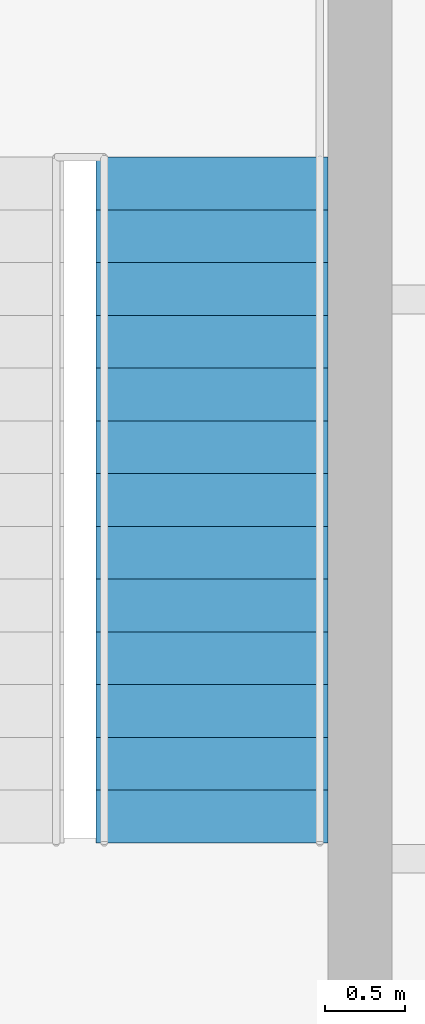
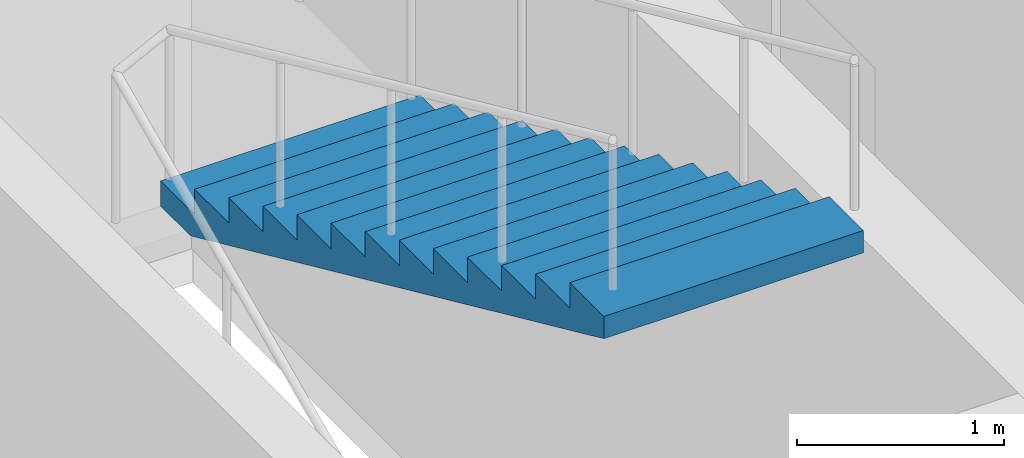
# One storey, part 8 of 9: 1 stair flight, 1 element without a shape of its own.
"""IFC4 building model written with IfcOpenShell, lengths in metres."""

from ifc_helpers import new_model, si_unit, direction, frame, origin, place, context, subcontext, project, spatial, polygons, material, type_object, element, aggregate, save


model = new_model("IFC4")

# Units and contexts
model_context = context("Model", 3, precision=1e-05, world=origin(), true_north=direction((0.0, 1.0)))
body_context = subcontext(model_context, "Body", "Model", "MODEL_VIEW")
ifc_project = project(units=[si_unit("LENGTHUNIT", "METRE"), si_unit("AREAUNIT", "SQUARE_METRE"), si_unit("VOLUMEUNIT", "CUBIC_METRE"), si_unit("PLANEANGLEUNIT", "RADIAN"), si_unit("MASSUNIT", "GRAM", prefix="KILO")], contexts=[model_context])

# Site, building, storey
site_placement = place(None, origin())
site = spatial("IfcSite", under=ifc_project, at=site_placement, CompositionType="ELEMENT")
building_placement = place(site_placement, origin())
building = spatial("IfcBuilding", under=site, at=building_placement, Name="Njiva Tower", CompositionType="ELEMENT")
storey_placement = place(building_placement, frame((0.0, 0.0, 325.2)))
storey = spatial("IfcBuildingStorey", under=building, at=storey_placement, Name="L74", CompositionType="ELEMENT", Elevation=325.2)

# Stair, stair flight
ifc_material = material(Name="Concrete C40/50", Category="concrete")
stair_type = type_object("IfcStairType", Name="ST3 Exit stair 1450", PredefinedType="HALF_TURN_STAIR", material=ifc_material)
stair_placement = place(storey_placement, origin())
stair = element("IfcStair", 1, at=stair_placement, inside=storey, type_object=stair_type, Name="Stair B", PredefinedType="HALF_TURN_STAIR")
stair_flight_type = type_object("IfcStairFlightType", Name="FL3 Stair flight 1450", PredefinedType="STRAIGHT", material=ifc_material)
stair_flight_placement = place(storey_placement, frame((13.375, 15.39, 2.1), z_axis=(0.0, 0.0, 1.0), x_axis=(0.0, -1.0, 0.0)))
stair_flight = element("IfcStairFlight", 2, at=stair_flight_placement, type_object=stair_flight_type, Name="ST-B flight 2", NumberOfRisers=14, NumberOfTreads=13, PredefinedType="STRAIGHT", RiserHeight=0.15, TreadLength=0.33, context=body_context, shape_type="Tessellation", body=[
    polygons([(0.0, 0.725, 0.0), (0.0, 0.3625, 0.0), (0.0, 0.0, 0.0), (0.0, -0.3625, 0.0), (0.0, -0.725, 0.0), (0.0, 0.725, 0.15), (0.0, 0.3625, 0.15), (0.0, 0.0, 0.15), (0.0, -0.3625, 0.15), (0.0, -0.725, 0.15), (0.33, 0.725, 0.15), (0.33, 0.3625, 0.15), (0.33, 0.0, 0.15), (0.33, -0.3625, 0.15), (0.33, -0.725, 0.15), (0.33, 0.725, 0.3), (0.33, 0.3625, 0.3), (0.33, 0.0, 0.3), (0.33, -0.3625, 0.3), (0.33, -0.725, 0.3), (0.66, 0.725, 0.3), (0.66, 0.3625, 0.3), (0.66, 0.0, 0.3), (0.66, -0.3625, 0.3), (0.66, -0.725, 0.3), (0.66, 0.725, 0.45), (0.66, 0.3625, 0.45), (0.66, 0.0, 0.45), (0.66, -0.3625, 0.45), (0.66, -0.725, 0.45), (0.99, 0.725, 0.45), (0.99, 0.3625, 0.45), (0.99, 0.0, 0.45), (0.99, -0.3625, 0.45), (0.99, -0.725, 0.45), (0.99, 0.725, 0.6), (0.99, 0.3625, 0.6), (0.99, 0.0, 0.6), (0.99, -0.3625, 0.6), (0.99, -0.725, 0.6), (1.32, 0.725, 0.6), (1.32, 0.3625, 0.6), (1.32, 0.0, 0.6), (1.32, -0.3625, 0.6), (1.32, -0.725, 0.6), (1.32, 0.725, 0.75), (1.32, 0.3625, 0.75), (1.32, 0.0, 0.75), (1.32, -0.3625, 0.75), (1.32, -0.725, 0.75), (1.65, 0.725, 0.75), (1.65, 0.3625, 0.75), (1.65, 0.0, 0.75), (1.65, -0.3625, 0.75), (1.65, -0.725, 0.75), (1.65, 0.725, 0.9), (1.65, 0.3625, 0.9), (1.65, 0.0, 0.9), (1.65, -0.3625, 0.9), (1.65, -0.725, 0.9), (1.98, 0.725, 0.9), (1.98, 0.3625, 0.9), (1.98, 0.0, 0.9), (1.98, -0.3625, 0.9), (1.98, -0.725, 0.9), (1.98, 0.725, 1.05), (1.98, 0.3625, 1.05), (1.98, 0.0, 1.05), (1.98, -0.3625, 1.05), (1.98, -0.725, 1.05), (2.31, 0.725, 1.05), (2.31, 0.3625, 1.05), (2.31, 0.0, 1.05), (2.31, -0.3625, 1.05), (2.31, -0.725, 1.05), (2.31, 0.725, 1.2), (2.31, 0.3625, 1.2), (2.31, 0.0, 1.2), (2.31, -0.3625, 1.2), (2.31, -0.725, 1.2), (2.64, 0.725, 1.2), (2.64, 0.3625, 1.2), (2.64, 0.0, 1.2), (2.64, -0.3625, 1.2), (2.64, -0.725, 1.2), (2.64, 0.725, 1.35), (2.64, 0.3625, 1.35), (2.64, 0.0, 1.35), (2.64, -0.3625, 1.35), (2.64, -0.725, 1.35), (2.97, 0.725, 1.35), (2.97, 0.3625, 1.35), (2.97, 0.0, 1.35), (2.97, -0.3625, 1.35), (2.97, -0.725, 1.35), (2.97, 0.725, 1.5), (2.97, 0.3625, 1.5), (2.97, 0.0, 1.5), (2.97, -0.3625, 1.5), (2.97, -0.725, 1.5), (3.3, 0.725, 1.5), (3.3, 0.3625, 1.5), (3.3, 0.0, 1.5), (3.3, -0.3625, 1.5), (3.3, -0.725, 1.5), (3.3, 0.725, 1.65), (3.3, 0.3625, 1.65), (3.3, 0.0, 1.65), (3.3, -0.3625, 1.65), (3.3, -0.725, 1.65), (3.63, 0.725, 1.65), (3.63, 0.3625, 1.65), (3.63, 0.0, 1.65), (3.63, -0.3625, 1.65), (3.63, -0.725, 1.65), (3.63, 0.725, 1.8), (3.63, 0.3625, 1.8), (3.63, 0.0, 1.8), (3.63, -0.3625, 1.8), (3.63, -0.725, 1.8), (3.96, 0.725, 1.8), (3.96, 0.3625, 1.8), (3.96, 0.0, 1.8), (3.96, -0.3625, 1.8), (3.96, -0.725, 1.8), (3.96, 0.725, 1.95), (3.96, 0.3625, 1.95), (3.96, 0.0, 1.95), (3.96, -0.3625, 1.95), (3.96, -0.725, 1.95), (4.29, 0.725, 1.95), (4.29, 0.3625, 1.95), (4.29, 0.0, 1.95), (4.29, -0.3625, 1.95), (4.29, -0.725, 1.95), (4.29, 0.725, 1.8182), (4.29, 0.3625, 1.8182), (4.29, 0.0, 1.8182), (4.29, -0.3625, 1.8182), (4.29, -0.725, 1.8182), (0.29, 0.725, 0.0), (0.29, 0.3625, 0.0), (0.29, 0.0, 0.0), (0.29, -0.3625, 0.0), (0.29, -0.725, 0.0)], [[[1, 6, 11, 16, 21, 26, 31, 36, 41, 46, 51, 56, 61, 66, 71, 76, 81, 86, 91, 96, 101, 106, 111, 116, 121, 126, 131, 136, 141]], [[145, 140, 135, 130, 125, 120, 115, 110, 105, 100, 95, 90, 85, 80, 75, 70, 65, 60, 55, 50, 45, 40, 35, 30, 25, 20, 15, 10, 5]], [[6, 1, 2, 7]], [[7, 2, 3, 8]], [[8, 3, 4, 9]], [[9, 4, 5, 10]], [[11, 6, 7, 12]], [[12, 7, 8, 13]], [[13, 8, 9, 14]], [[14, 9, 10, 15]], [[16, 11, 12, 17]], [[17, 12, 13, 18]], [[18, 13, 14, 19]], [[19, 14, 15, 20]], [[21, 16, 17, 22]], [[22, 17, 18, 23]], [[23, 18, 19, 24]], [[24, 19, 20, 25]], [[26, 21, 22, 27]], [[27, 22, 23, 28]], [[28, 23, 24, 29]], [[29, 24, 25, 30]], [[31, 26, 27, 32]], [[32, 27, 28, 33]], [[33, 28, 29, 34]], [[34, 29, 30, 35]], [[36, 31, 32, 37]], [[37, 32, 33, 38]], [[38, 33, 34, 39]], [[39, 34, 35, 40]], [[41, 36, 37, 42]], [[42, 37, 38, 43]], [[43, 38, 39, 44]], [[44, 39, 40, 45]], [[46, 41, 42, 47]], [[47, 42, 43, 48]], [[48, 43, 44, 49]], [[49, 44, 45, 50]], [[51, 46, 47, 52]], [[52, 47, 48, 53]], [[53, 48, 49, 54]], [[54, 49, 50, 55]], [[56, 51, 52, 57]], [[57, 52, 53, 58]], [[58, 53, 54, 59]], [[59, 54, 55, 60]], [[61, 56, 57, 62]], [[62, 57, 58, 63]], [[63, 58, 59, 64]], [[64, 59, 60, 65]], [[66, 61, 62, 67]], [[67, 62, 63, 68]], [[68, 63, 64, 69]], [[69, 64, 65, 70]], [[71, 66, 67, 72]], [[72, 67, 68, 73]], [[73, 68, 69, 74]], [[74, 69, 70, 75]], [[76, 71, 72, 77]], [[77, 72, 73, 78]], [[78, 73, 74, 79]], [[79, 74, 75, 80]], [[81, 76, 77, 82]], [[82, 77, 78, 83]], [[83, 78, 79, 84]], [[84, 79, 80, 85]], [[86, 81, 82, 87]], [[87, 82, 83, 88]], [[88, 83, 84, 89]], [[89, 84, 85, 90]], [[91, 86, 87, 92]], [[92, 87, 88, 93]], [[93, 88, 89, 94]], [[94, 89, 90, 95]], [[96, 91, 92, 97]], [[97, 92, 93, 98]], [[98, 93, 94, 99]], [[99, 94, 95, 100]], [[101, 96, 97, 102]], [[102, 97, 98, 103]], [[103, 98, 99, 104]], [[104, 99, 100, 105]], [[106, 101, 102, 107]], [[107, 102, 103, 108]], [[108, 103, 104, 109]], [[109, 104, 105, 110]], [[111, 106, 107, 112]], [[112, 107, 108, 113]], [[113, 108, 109, 114]], [[114, 109, 110, 115]], [[116, 111, 112, 117]], [[117, 112, 113, 118]], [[118, 113, 114, 119]], [[119, 114, 115, 120]], [[121, 116, 117, 122]], [[122, 117, 118, 123]], [[123, 118, 119, 124]], [[124, 119, 120, 125]], [[126, 121, 122, 127]], [[127, 122, 123, 128]], [[128, 123, 124, 129]], [[129, 124, 125, 130]], [[131, 126, 127, 132]], [[132, 127, 128, 133]], [[133, 128, 129, 134]], [[134, 129, 130, 135]], [[136, 131, 132, 137]], [[137, 132, 133, 138]], [[138, 133, 134, 139]], [[139, 134, 135, 140]], [[141, 136, 137, 142]], [[142, 137, 138, 143]], [[143, 138, 139, 144]], [[144, 139, 140, 145]], [[1, 141, 142, 2]], [[2, 142, 143, 3]], [[3, 143, 144, 4]], [[4, 144, 145, 5]]], closed=True),
])
aggregate(stair, [stair_flight])

save(model, "model.ifc")
